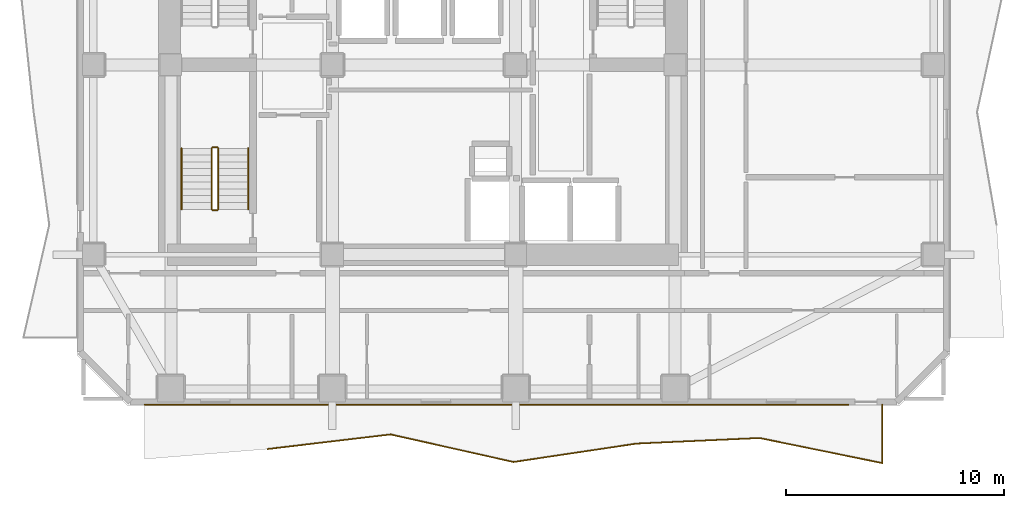
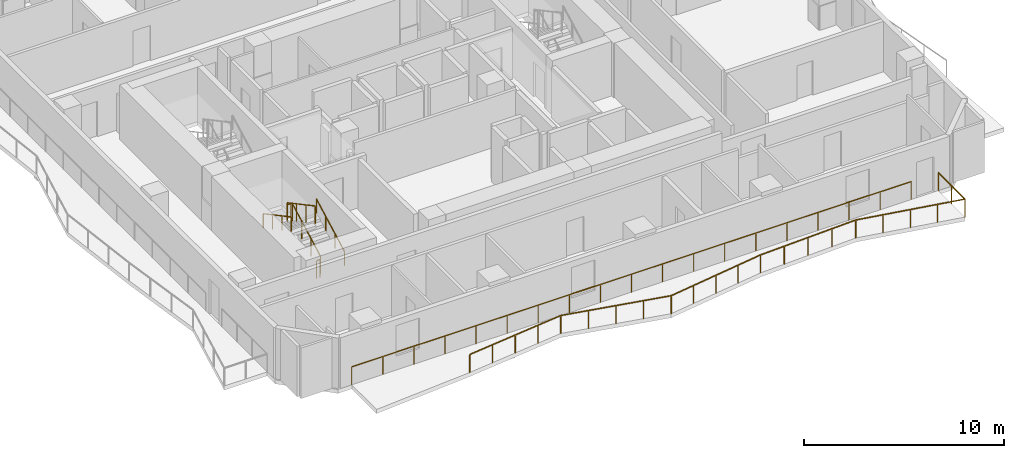
# One storey, part 7 of 9: 8 railings.
"""IFC4 building model written with IfcOpenShell, lengths in metres."""

from ifc_helpers import new_model, si_unit, direction, frame, origin, origin_2d, place, context, subcontext, project, spatial, rectangle, extrude, material, type_object, element, save


model = new_model("IFC4")

# Units and contexts
model_context = context("Model", 3, precision=1e-05, world=origin(), true_north=direction((0.0, 1.0)))
body_context = subcontext(model_context, "Body", "Model", "MODEL_VIEW")
ifc_project = project(units=[si_unit("LENGTHUNIT", "METRE"), si_unit("AREAUNIT", "SQUARE_METRE"), si_unit("VOLUMEUNIT", "CUBIC_METRE"), si_unit("PLANEANGLEUNIT", "RADIAN"), si_unit("MASSUNIT", "GRAM", prefix="KILO")], contexts=[model_context])

# Site, building, storey
site_placement = place(None, origin())
site = spatial("IfcSite", under=ifc_project, at=site_placement, CompositionType="ELEMENT")
building_placement = place(site_placement, origin())
building = spatial("IfcBuilding", under=site, at=building_placement, Name="Solanera Arch Residences", CompositionType="ELEMENT")
storey_placement = place(building_placement, frame((0.0, 0.0, 152.56005859375)))
storey = spatial("IfcBuildingStorey", under=building, at=storey_placement, Name="L44", CompositionType="ELEMENT", Elevation=152.56005859375)

# Railings
ifc_material_1 = material(Name="Steel S355 (ASTM A992 / A572 Grade 50)", Category="steel")
railing_type_1 = type_object("IfcRailingType", Name="Balustrade Railing BL-1100", PredefinedType="BALUSTRADE", material=ifc_material_1)
railing_1_placement = place(storey_placement, frame((17.8330078125, 13.094970703125, 0.0)))
element("IfcRailing", 1, at=railing_1_placement, inside=storey, type_object=railing_type_1, Name="L44 S Balcony Balustrade 1", PredefinedType="BALUSTRADE", context=body_context, shape_type="SweptSolid", body=[
    extrude(rectangle(XDim=0.048095703125, YDim=0.048095703125, at=origin_2d()), frame((0.0, 0.0, 1.09619140625), z_axis=(0.993004740566, 0.118074490103, 0.0), x_axis=(-0.118074490103, 0.993004740566, 0.0)), (0.0, 0.0, 1.0), 5.673828125),
    extrude(rectangle(XDim=0.048095703125, YDim=0.048095703125, at=origin_2d()), frame((5.634033203125, 0.669921875, 1.09619140625), z_axis=(0.975740224697, -0.218931527901, 0.0), x_axis=(0.218931527901, 0.975740224697, 0.0)), (0.0, 0.0, 1.0), 5.773193359375),
    extrude(rectangle(XDim=0.048095703125, YDim=0.048095703125, at=origin_2d()), frame((11.26708984375, -0.593994140625, 1.09619140625), z_axis=(0.98898534747, 0.148013453745, 0.0), x_axis=(-0.148013453745, 0.98898534747, 0.0)), (0.0, 0.0, 1.0), 5.695556640625),
    extrude(rectangle(XDim=0.048095703125, YDim=0.048095703125, at=origin_2d()), frame((16.89990234375, 0.2490234375, 1.09619140625), z_axis=(0.998968450954, 0.04540962452, 0.0), x_axis=(-0.04540962452, 0.998968450954, 0.0)), (0.0, 0.0, 1.0), 5.639892578125),
    extrude(rectangle(XDim=0.048095703125, YDim=0.048095703125, at=origin_2d()), frame((22.533935546875, 0.505126953125, 1.09619140625), z_axis=(0.979785547424, -0.200050696221, 0.0), x_axis=(0.200050696221, 0.979785547424, 0.0)), (0.0, 0.0, 1.0), 5.749267578125),
    extrude(rectangle(XDim=0.048095703125, YDim=0.048095703125, at=origin_2d()), frame((28.1669921875, -0.64501953125, 1.09619140625), z_axis=(0.0, 1.0, 0.0), x_axis=(-1.0, 0.0, 0.0)), (0.0, 0.0, 1.0), 2.670166015625),
    extrude(rectangle(XDim=0.0419921875, YDim=0.0419921875, at=origin_2d()), origin(), (0.0, 0.0, 1.0), 1.072021484375),
    extrude(rectangle(XDim=0.0419921875, YDim=0.0419921875, at=origin_2d()), frame((1.408447265625, 0.16748046875, 0.0)), (0.0, 0.0, 1.0), 1.072021484375),
    extrude(rectangle(XDim=0.0419921875, YDim=0.0419921875, at=origin_2d()), frame((2.81689453125, 0.3349609375, 0.0)), (0.0, 0.0, 1.0), 1.072021484375),
    extrude(rectangle(XDim=0.0419921875, YDim=0.0419921875, at=origin_2d()), frame((4.2255859375, 0.50244140625, 0.0)), (0.0, 0.0, 1.0), 1.072021484375),
    extrude(rectangle(XDim=0.0419921875, YDim=0.0419921875, at=origin_2d()), frame((5.634033203125, 0.669921875, 0.0)), (0.0, 0.0, 1.0), 1.072021484375),
    extrude(rectangle(XDim=0.0419921875, YDim=0.0419921875, at=origin_2d()), frame((7.042236328125, 0.35400390625, 0.0)), (0.0, 0.0, 1.0), 1.072021484375),
    extrude(rectangle(XDim=0.0419921875, YDim=0.0419921875, at=origin_2d()), frame((8.45068359375, 0.0380859375, 0.0)), (0.0, 0.0, 1.0), 1.072021484375),
    extrude(rectangle(XDim=0.0419921875, YDim=0.0419921875, at=origin_2d()), frame((9.85888671875, -0.278076171875, 0.0)), (0.0, 0.0, 1.0), 1.072021484375),
    extrude(rectangle(XDim=0.0419921875, YDim=0.0419921875, at=origin_2d()), frame((11.26708984375, -0.593994140625, 0.0)), (0.0, 0.0, 1.0), 1.072021484375),
    extrude(rectangle(XDim=0.0419921875, YDim=0.0419921875, at=origin_2d()), frame((12.67529296875, -0.38330078125, 0.0)), (0.0, 0.0, 1.0), 1.072021484375),
    extrude(rectangle(XDim=0.0419921875, YDim=0.0419921875, at=origin_2d()), frame((14.08349609375, -0.17236328125, 0.0)), (0.0, 0.0, 1.0), 1.072021484375),
    extrude(rectangle(XDim=0.0419921875, YDim=0.0419921875, at=origin_2d()), frame((15.49169921875, 0.038330078125, 0.0)), (0.0, 0.0, 1.0), 1.072021484375),
    extrude(rectangle(XDim=0.0419921875, YDim=0.0419921875, at=origin_2d()), frame((16.89990234375, 0.2490234375, 0.0)), (0.0, 0.0, 1.0), 1.072021484375),
    extrude(rectangle(XDim=0.0419921875, YDim=0.0419921875, at=origin_2d()), frame((18.308349609375, 0.31298828125, 0.0)), (0.0, 0.0, 1.0), 1.072021484375),
    extrude(rectangle(XDim=0.0419921875, YDim=0.0419921875, at=origin_2d()), frame((19.716796875, 0.376953125, 0.0)), (0.0, 0.0, 1.0), 1.072021484375),
    extrude(rectangle(XDim=0.0419921875, YDim=0.0419921875, at=origin_2d()), frame((21.12548828125, 0.441162109375, 0.0)), (0.0, 0.0, 1.0), 1.072021484375),
    extrude(rectangle(XDim=0.0419921875, YDim=0.0419921875, at=origin_2d()), frame((22.533935546875, 0.505126953125, 0.0)), (0.0, 0.0, 1.0), 1.072021484375),
    extrude(rectangle(XDim=0.0419921875, YDim=0.0419921875, at=origin_2d()), frame((23.942138671875, 0.217529296875, 0.0)), (0.0, 0.0, 1.0), 1.072021484375),
    extrude(rectangle(XDim=0.0419921875, YDim=0.0419921875, at=origin_2d()), frame((25.3505859375, -0.06982421875, 0.0)), (0.0, 0.0, 1.0), 1.072021484375),
    extrude(rectangle(XDim=0.0419921875, YDim=0.0419921875, at=origin_2d()), frame((26.7587890625, -0.357421875, 0.0)), (0.0, 0.0, 1.0), 1.072021484375),
    extrude(rectangle(XDim=0.0419921875, YDim=0.0419921875, at=origin_2d()), frame((28.1669921875, -0.64501953125, 0.0)), (0.0, 0.0, 1.0), 1.072021484375),
    extrude(rectangle(XDim=0.0419921875, YDim=0.0419921875, at=origin_2d()), frame((28.1669921875, 0.68994140625, 0.0)), (0.0, 0.0, 1.0), 1.072021484375),
    extrude(rectangle(XDim=0.0419921875, YDim=0.0419921875, at=origin_2d()), frame((28.1669921875, 2.025146484375, 0.0)), (0.0, 0.0, 1.0), 1.072021484375),
])
railing_2_placement = place(storey_placement, frame((44.44091796875, 15.1201171875, 0.0)))
element("IfcRailing", 2, at=railing_2_placement, inside=storey, type_object=railing_type_1, Name="L44 S Balcony Balustrade 2", PredefinedType="BALUSTRADE", context=body_context, shape_type="SweptSolid", body=[
    extrude(rectangle(XDim=0.048095703125, YDim=0.048095703125, at=origin_2d()), frame((0.0, 0.0, 1.09619140625), z_axis=(-1.0, 0.0, 0.0), x_axis=(0.0, -1.0, 0.0)), (0.0, 0.0, 1.0), 32.240966796875),
    extrude(rectangle(XDim=0.0419921875, YDim=0.0419921875, at=origin_2d()), origin(), (0.0, 0.0, 1.0), 1.072021484375),
    extrude(rectangle(XDim=0.0419921875, YDim=0.0419921875, at=origin_2d()), frame((-1.791259765625, 0.0, 0.0)), (0.0, 0.0, 1.0), 1.072021484375),
    extrude(rectangle(XDim=0.0419921875, YDim=0.0419921875, at=origin_2d()), frame((-3.582275390625, 0.0, 0.0)), (0.0, 0.0, 1.0), 1.072021484375),
    extrude(rectangle(XDim=0.0419921875, YDim=0.0419921875, at=origin_2d()), frame((-5.37353515625, 0.0, 0.0)), (0.0, 0.0, 1.0), 1.072021484375),
    extrude(rectangle(XDim=0.0419921875, YDim=0.0419921875, at=origin_2d()), frame((-7.16455078125, 0.0, 0.0)), (0.0, 0.0, 1.0), 1.072021484375),
    extrude(rectangle(XDim=0.0419921875, YDim=0.0419921875, at=origin_2d()), frame((-8.955810546875, 0.0, 0.0)), (0.0, 0.0, 1.0), 1.072021484375),
    extrude(rectangle(XDim=0.0419921875, YDim=0.0419921875, at=origin_2d()), frame((-10.7470703125, 0.0, 0.0)), (0.0, 0.0, 1.0), 1.072021484375),
    extrude(rectangle(XDim=0.0419921875, YDim=0.0419921875, at=origin_2d()), frame((-12.5380859375, 0.0, 0.0)), (0.0, 0.0, 1.0), 1.072021484375),
    extrude(rectangle(XDim=0.0419921875, YDim=0.0419921875, at=origin_2d()), frame((-14.329345703125, 0.0, 0.0)), (0.0, 0.0, 1.0), 1.072021484375),
    extrude(rectangle(XDim=0.0419921875, YDim=0.0419921875, at=origin_2d()), frame((-16.12060546875, 0.0, 0.0)), (0.0, 0.0, 1.0), 1.072021484375),
    extrude(rectangle(XDim=0.0419921875, YDim=0.0419921875, at=origin_2d()), frame((-17.91162109375, 0.0, 0.0)), (0.0, 0.0, 1.0), 1.072021484375),
    extrude(rectangle(XDim=0.0419921875, YDim=0.0419921875, at=origin_2d()), frame((-19.702880859375, 0.0, 0.0)), (0.0, 0.0, 1.0), 1.072021484375),
    extrude(rectangle(XDim=0.0419921875, YDim=0.0419921875, at=origin_2d()), frame((-21.493896484375, 0.0, 0.0)), (0.0, 0.0, 1.0), 1.072021484375),
    extrude(rectangle(XDim=0.0419921875, YDim=0.0419921875, at=origin_2d()), frame((-23.28515625, 0.0, 0.0)), (0.0, 0.0, 1.0), 1.072021484375),
    extrude(rectangle(XDim=0.0419921875, YDim=0.0419921875, at=origin_2d()), frame((-25.076416015625, 0.0, 0.0)), (0.0, 0.0, 1.0), 1.072021484375),
    extrude(rectangle(XDim=0.0419921875, YDim=0.0419921875, at=origin_2d()), frame((-26.867431640625, 0.0, 0.0)), (0.0, 0.0, 1.0), 1.072021484375),
    extrude(rectangle(XDim=0.0419921875, YDim=0.0419921875, at=origin_2d()), frame((-28.65869140625, 0.0, 0.0)), (0.0, 0.0, 1.0), 1.072021484375),
    extrude(rectangle(XDim=0.0419921875, YDim=0.0419921875, at=origin_2d()), frame((-30.44970703125, 0.0, 0.0)), (0.0, 0.0, 1.0), 1.072021484375),
    extrude(rectangle(XDim=0.0419921875, YDim=0.0419921875, at=origin_2d()), frame((-32.240966796875, 0.0, 0.0)), (0.0, 0.0, 1.0), 1.072021484375),
])
ifc_material_2 = material(Name="Steel S355 (ASTM A992 / A572 Grade 50)", Category="steel")
railing_type_2 = type_object("IfcRailingType", Name="Stair Guardrail GR-1100", PredefinedType="GUARDRAIL", material=ifc_material_2)
railing_3_placement = place(storey_placement, frame((15.570068359375, 24.080078125, 0.15087890625)))
element("IfcRailing", 3, at=railing_3_placement, inside=storey, type_object=railing_type_2, Name="L44 ST-T3 stair guard 1", PredefinedType="GUARDRAIL", context=body_context, shape_type="SweptSolid", body=[
    extrude(rectangle(XDim=0.048095703125, YDim=0.048095703125, at=origin_2d()), frame((0.0, 0.0, 1.076171875), z_axis=(0.0, 0.881548766853, 0.472092969298), x_axis=(-1.0, 0.0, 0.0)), (0.0, 0.0, 1.0), 3.1650390625),
    extrude(rectangle(XDim=0.0419921875, YDim=0.0419921875, at=origin_2d()), origin(), (0.0, 0.0, 1.0), 1.052001953125),
    extrude(rectangle(XDim=0.0419921875, YDim=0.0419921875, at=origin_2d()), frame((0.0, 0.929931640625, 0.498046875)), (0.0, 0.0, 1.0), 1.052001953125),
    extrude(rectangle(XDim=0.0419921875, YDim=0.0419921875, at=origin_2d()), frame((0.0, 1.860107421875, 0.99609375)), (0.0, 0.0, 1.0), 1.052001953125),
    extrude(rectangle(XDim=0.0419921875, YDim=0.0419921875, at=origin_2d()), frame((0.0, 2.7900390625, 1.494140625)), (0.0, 0.0, 1.0), 1.052001953125),
])
railing_4_placement = place(storey_placement, frame((15.52001953125, 26.919921875, 1.64501953125)))
element("IfcRailing", 4, at=railing_4_placement, inside=storey, type_object=railing_type_2, Name="L44 ST-T3 stair guard 2", PredefinedType="GUARDRAIL", context=body_context, shape_type="SweptSolid", body=[
    extrude(rectangle(XDim=0.048095703125, YDim=0.048095703125, at=origin_2d()), frame((0.0, 0.0, 1.076171875), z_axis=(-1.0, 0.0, 0.0), x_axis=(0.0, -1.0, 0.0)), (0.0, 0.0, 1.0), 0.199951171875),
    extrude(rectangle(XDim=0.0419921875, YDim=0.0419921875, at=origin_2d()), origin(), (0.0, 0.0, 1.0), 1.052001953125),
    extrude(rectangle(XDim=0.0419921875, YDim=0.0419921875, at=origin_2d()), frame((-0.199951171875, 0.0, 0.0)), (0.0, 0.0, 1.0), 1.052001953125),
])
railing_5_placement = place(storey_placement, frame((15.27001953125, 26.8701171875, 1.81103515625)))
element("IfcRailing", 5, at=railing_5_placement, inside=storey, type_object=railing_type_2, Name="L44 ST-T3 stair guard 3", PredefinedType="GUARDRAIL", context=body_context, shape_type="SweptSolid", body=[
    extrude(rectangle(XDim=0.048095703125, YDim=0.048095703125, at=origin_2d()), frame((0.0, 0.0, 1.076171875), z_axis=(0.0, -0.881580869306, 0.472033018838), x_axis=(1.0, 0.0, 0.0)), (0.0, 0.0, 1.0), 3.164794921875),
    extrude(rectangle(XDim=0.0419921875, YDim=0.0419921875, at=origin_2d()), origin(), (0.0, 0.0, 1.0), 1.052001953125),
    extrude(rectangle(XDim=0.0419921875, YDim=0.0419921875, at=origin_2d()), frame((0.0, -0.929931640625, 0.498046875)), (0.0, 0.0, 1.0), 1.052001953125),
    extrude(rectangle(XDim=0.0419921875, YDim=0.0419921875, at=origin_2d()), frame((0.0, -1.860107421875, 0.995849609375)), (0.0, 0.0, 1.0), 1.052001953125),
    extrude(rectangle(XDim=0.0419921875, YDim=0.0419921875, at=origin_2d()), frame((0.0, -2.7900390625, 1.493896484375)), (0.0, 0.0, 1.0), 1.052001953125),
])
railing_6_placement = place(storey_placement, frame((15.52001953125, 24.030029296875, -0.01513671875)))
element("IfcRailing", 6, at=railing_6_placement, inside=storey, type_object=railing_type_2, Name="L44 ST-T3 stair guard 4", PredefinedType="GUARDRAIL", context=body_context, shape_type="SweptSolid", body=[
    extrude(rectangle(XDim=0.048095703125, YDim=0.048095703125, at=origin_2d()), frame((0.0, 0.0, 1.076171875), z_axis=(-1.0, 0.0, 0.0), x_axis=(0.0, -1.0, 0.0)), (0.0, 0.0, 1.0), 0.199951171875),
    extrude(rectangle(XDim=0.0419921875, YDim=0.0419921875, at=origin_2d()), origin(), (0.0, 0.0, 1.0), 1.052001953125),
    extrude(rectangle(XDim=0.0419921875, YDim=0.0419921875, at=origin_2d()), frame((-0.199951171875, 0.0, 0.0)), (0.0, 0.0, 1.0), 1.052001953125),
])
ifc_material_3 = material(Name="Steel S355 (ASTM A992 / A572 Grade 50)", Category="steel")
railing_type_3 = type_object("IfcRailingType", Name="Stair Wall Handrail HR-920", PredefinedType="HANDRAIL", material=ifc_material_3)
railing_7_placement = place(storey_placement, frame((16.949951171875, 24.080078125, 0.166015625)))
element("IfcRailing", 7, at=railing_7_placement, inside=storey, type_object=railing_type_3, Name="L44 ST-T3 stair handrail 1", PredefinedType="HANDRAIL", context=body_context, shape_type="SweptSolid", body=[
    extrude(rectangle(XDim=0.048095703125, YDim=0.048095703125, at=origin_2d()), frame((0.0, 0.0, 0.8759765625), z_axis=(0.0, 0.881580869306, 0.472033018838), x_axis=(-1.0, 0.0, 0.0)), (0.0, 0.0, 1.0), 3.164794921875),
    extrude(rectangle(XDim=0.0419921875, YDim=0.0419921875, at=origin_2d()), origin(), (0.0, 0.0, 1.0), 0.851806640625),
    extrude(rectangle(XDim=0.0419921875, YDim=0.0419921875, at=origin_2d()), frame((0.0, 0.929931640625, 0.498046875)), (0.0, 0.0, 1.0), 0.851806640625),
    extrude(rectangle(XDim=0.0419921875, YDim=0.0419921875, at=origin_2d()), frame((0.0, 1.860107421875, 0.995849609375)), (0.0, 0.0, 1.0), 0.851806640625),
    extrude(rectangle(XDim=0.0419921875, YDim=0.0419921875, at=origin_2d()), frame((0.0, 2.7900390625, 1.493896484375)), (0.0, 0.0, 1.0), 0.851806640625),
])
railing_8_placement = place(storey_placement, frame((13.889892578125, 26.8701171875, 1.825927734375)))
element("IfcRailing", 8, at=railing_8_placement, inside=storey, type_object=railing_type_3, Name="L44 ST-T3 stair handrail 2", PredefinedType="HANDRAIL", context=body_context, shape_type="SweptSolid", body=[
    extrude(rectangle(XDim=0.048095703125, YDim=0.048095703125, at=origin_2d()), frame((0.0, 0.0, 0.8759765625), z_axis=(0.0, -0.881580869306, 0.472033018838), x_axis=(1.0, 0.0, 0.0)), (0.0, 0.0, 1.0), 3.164794921875),
    extrude(rectangle(XDim=0.0419921875, YDim=0.0419921875, at=origin_2d()), origin(), (0.0, 0.0, 1.0), 0.851806640625),
    extrude(rectangle(XDim=0.0419921875, YDim=0.0419921875, at=origin_2d()), frame((0.0, -0.929931640625, 0.498046875)), (0.0, 0.0, 1.0), 0.851806640625),
    extrude(rectangle(XDim=0.0419921875, YDim=0.0419921875, at=origin_2d()), frame((0.0, -1.860107421875, 0.995849609375)), (0.0, 0.0, 1.0), 0.851806640625),
    extrude(rectangle(XDim=0.0419921875, YDim=0.0419921875, at=origin_2d()), frame((0.0, -2.7900390625, 1.493896484375)), (0.0, 0.0, 1.0), 0.851806640625),
])

save(model, "model.ifc")
